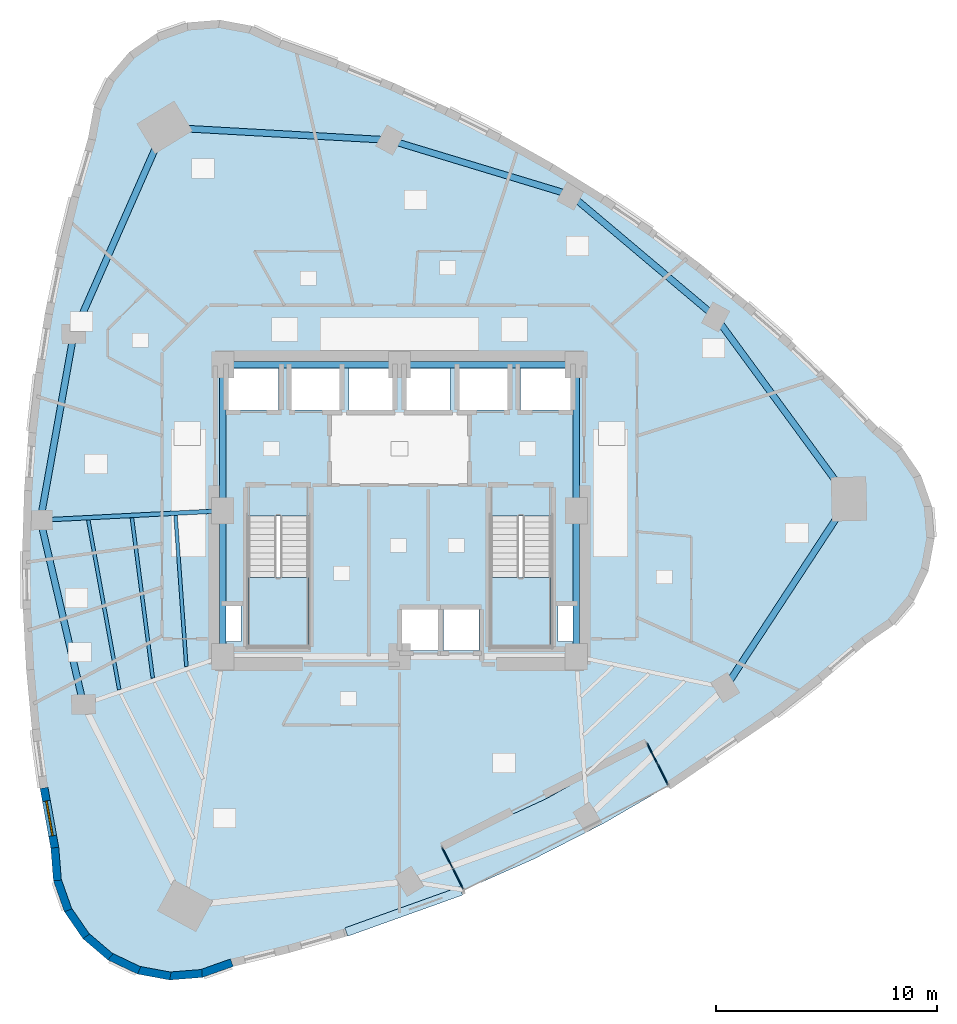
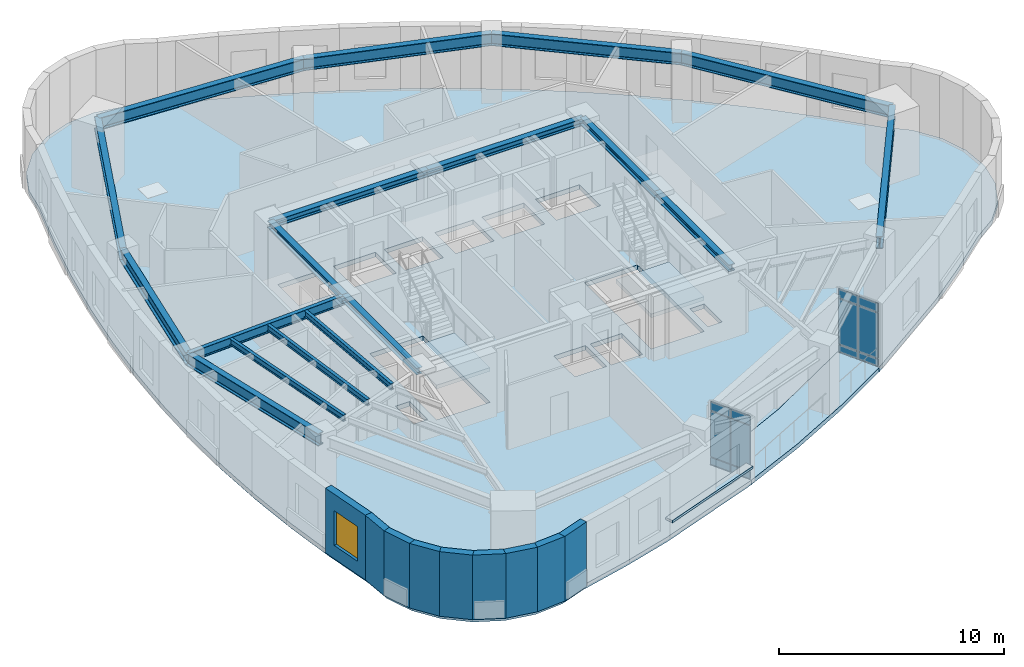
# One storey, part 4 of 11: 18 beams, 13 plates, 9 walls, 4 slabs, 1 window, 1 opening, 4 elements without a shape of their own.
"""IFC4 building model written with IfcOpenShell, lengths in metres."""

from ifc_helpers import new_model, si_unit, direction, frame, frame_2d, origin, origin_2d, place, context, subcontext, project, spatial, polyline, rectangle, i_section, outline, extrude, material, layer, layer_set, material_profile, profile_set, type_object, element, fill, aggregate, save


model = new_model("IFC4")

# Units and contexts
model_context = context("Model", 3, precision=1e-05, world=origin(), true_north=direction((0.0, 1.0)))
body_context = subcontext(model_context, "Body", "Model", "MODEL_VIEW")
ifc_project = project(units=[si_unit("LENGTHUNIT", "METRE"), si_unit("AREAUNIT", "SQUARE_METRE"), si_unit("VOLUMEUNIT", "CUBIC_METRE"), si_unit("PLANEANGLEUNIT", "RADIAN"), si_unit("MASSUNIT", "GRAM", prefix="KILO")], contexts=[model_context])

# Site, building, storey
site_placement = place(None, origin())
site = spatial("IfcSite", under=ifc_project, at=site_placement, CompositionType="ELEMENT")
building_placement = place(site_placement, origin())
building = spatial("IfcBuilding", under=site, at=building_placement, Name="Ndelora Gate Hotel", CompositionType="ELEMENT")
storey_placement = place(building_placement, frame((0.0, 0.0, 108.5)))
storey = spatial("IfcBuildingStorey", under=building, at=storey_placement, Name="L26", CompositionType="ELEMENT", Elevation=108.5)

# Beams
ifc_material_1 = material(Name="Steel S355", Category="steel")
ifc_material_profile_1 = material_profile(ifc_material_1, i_section(OverallWidth=0.300048828125, OverallDepth=0.360107421875, WebThickness=0.012451171875, FlangeThickness=0.0224609375, FilletRadius=0.027099609375, at=origin_2d()), Name="HEB 360")
ifc_profile_set_1 = profile_set([ifc_material_profile_1], Name="Steel S355")
beam_type_1 = type_object("IfcBeamType", Name="BM-CORE-360", PredefinedType="BEAM", material=ifc_profile_set_1)
for number, where, z_axis, x_axis, name in (
    (1, (-8.0, 6.60009765625, 3.320068359375), (1.0, 0.0, 0.0), (0.0, 1.0, 0.0), "L26 Core Tie Girder CC7-CC6"),
    (2, (0.0, 6.60009765625, 3.320068359375), (1.0, 0.0, 0.0), (0.0, 1.0, 0.0), "L26 Core Tie Girder CC6-CC5"),
):
    element("IfcBeam", number, at=place(storey_placement, frame(where, z_axis=z_axis, x_axis=x_axis)), inside=storey, type_object=beam_type_1, Name=name, PredefinedType="BEAM", context=body_context, shape_type="SweptSolid", body=[
        extrude(i_section(OverallWidth=0.300048828125, OverallDepth=0.360107421875, WebThickness=0.012451171875, FlangeThickness=0.0224609375, FilletRadius=0.027099609375, at=origin_2d()), origin(), (0.0, 0.0, 1.0), 8.0),
    ])
for number, where, z_axis, x_axis, name in (
    (3, (-8.0, -6.60009765625, 3.320068359375), (0.0, 1.0, 0.0), (-1.0, 0.0, 0.0), "L26 Core Tie Girder CC1-CC8"),
    (4, (-8.0, 0.0, 3.320068359375), (0.0, 1.0, 0.0), (-1.0, 0.0, 0.0), "L26 Core Tie Girder CC8-CC7"),
    (5, (8.0, -6.60009765625, 3.320068359375), (0.0, 1.0, 0.0), (-1.0, 0.0, 0.0), "L26 Core Tie Girder CC3-CC4"),
    (6, (8.0, 0.0, 3.320068359375), (0.0, 1.0, 0.0), (-1.0, 0.0, 0.0), "L26 Core Tie Girder CC4-CC5"),
):
    element("IfcBeam", number, at=place(storey_placement, frame(where, z_axis=z_axis, x_axis=x_axis)), inside=storey, type_object=beam_type_1, Name=name, PredefinedType="BEAM", context=body_context, shape_type="SweptSolid", body=[
        extrude(i_section(OverallWidth=0.300048828125, OverallDepth=0.360107421875, WebThickness=0.012451171875, FlangeThickness=0.0224609375, FilletRadius=0.027099609375, at=origin_2d()), origin(), (0.0, 0.0, 1.0), 6.60009765625),
    ])
ifc_material_profile_2 = material_profile(ifc_material_1, i_section(OverallWidth=0.159912109375, OverallDepth=0.330078125, WebThickness=0.007568359375, FlangeThickness=0.011474609375, FilletRadius=0.01806640625, at=origin_2d()), Name="IPE 330")
ifc_profile_set_2 = profile_set([ifc_material_profile_2], Name="Steel S355")
beam_type_2 = type_object("IfcBeamType", Name="BM-JST-330", PredefinedType="JOIST", material=ifc_profile_set_2)
beam_1_placement = place(storey_placement, frame((-10.138427734375, -0.220458984375, 3.3349609375), z_axis=(0.07162945927, -0.997431311201, 0.0), x_axis=(0.997431311201, 0.07162945927, 0.0)))
element("IfcBeam", 7, at=beam_1_placement, inside=storey, type_object=beam_type_2, Name="L26 Secondary Composite Floor Joist IN-3", PredefinedType="JOIST", context=body_context, shape_type="SweptSolid", body=[
    extrude(i_section(OverallWidth=0.159912109375, OverallDepth=0.330078125, WebThickness=0.007568359375, FlangeThickness=0.011474609375, FilletRadius=0.01806640625, at=origin_2d()), origin(), (0.0, 0.0, 1.0), 6.850830078125),
])
beam_2_placement = place(storey_placement, frame((-12.113525390625, -0.322021484375, 3.3349609375), z_axis=(0.12927924943, -0.991608226906, 0.0), x_axis=(0.991608226906, 0.12927924943, 0.0)))
element("IfcBeam", 8, at=beam_2_placement, inside=storey, type_object=beam_type_2, Name="L26 Secondary Composite Floor Joist MID-3", PredefinedType="JOIST", context=body_context, shape_type="SweptSolid", body=[
    extrude(i_section(OverallWidth=0.159912109375, OverallDepth=0.330078125, WebThickness=0.007568359375, FlangeThickness=0.011474609375, FilletRadius=0.01806640625, at=origin_2d()), origin(), (0.0, 0.0, 1.0), 7.31396484375),
])
beam_3_placement = place(storey_placement, frame((-14.089111328125, -0.423095703125, 3.3349609375), z_axis=(0.179733770179, -0.983715290039, 0.0), x_axis=(0.983715290039, 0.179733770179, 0.0)))
element("IfcBeam", 9, at=beam_3_placement, inside=storey, type_object=beam_type_2, Name="L26 Secondary Composite Floor Joist OUT-3", PredefinedType="JOIST", context=body_context, shape_type="SweptSolid", body=[
    extrude(i_section(OverallWidth=0.159912109375, OverallDepth=0.330078125, WebThickness=0.007568359375, FlangeThickness=0.011474609375, FilletRadius=0.01806640625, at=origin_2d()), origin(), (0.0, 0.0, 1.0), 7.799560546875),
])
ifc_material_profile_3 = material_profile(ifc_material_1, i_section(OverallWidth=0.199951171875, OverallDepth=0.5, WebThickness=0.01025390625, FlangeThickness=0.01611328125, FilletRadius=0.02099609375, at=origin_2d()), Name="IPE 500")
ifc_profile_set_3 = profile_set([ifc_material_profile_3], Name="Steel S355")
beam_type_3 = type_object("IfcBeamType", Name="BM-RAD-500", PredefinedType="BEAM", material=ifc_profile_set_3)
beam_4_placement = place(storey_placement, frame((-8.0, 0.0, 3.25), z_axis=(-0.998672591881, -0.051507807424, 0.0), x_axis=(0.051507807424, -0.998672591881, 0.0)))
element("IfcBeam", 10, at=beam_4_placement, inside=storey, type_object=beam_type_3, Name="L26 Radial Floor Girder 3", PredefinedType="BEAM", context=body_context, shape_type="SweptSolid", body=[
    extrude(i_section(OverallWidth=0.199951171875, OverallDepth=0.5, WebThickness=0.01025390625, FlangeThickness=0.01611328125, FilletRadius=0.02099609375, at=origin_2d()), origin(), (0.0, 0.0, 1.0), 8.266357421875),
])
ifc_material_profile_4 = material_profile(ifc_material_1, i_section(OverallWidth=0.300048828125, OverallDepth=0.64990234375, WebThickness=0.01611328125, FlangeThickness=0.031005859375, FilletRadius=0.027099609375, at=origin_2d()), Name="HEB 650")
ifc_profile_set_4 = profile_set([ifc_material_profile_4], Name="Steel S355")
beam_type_4 = type_object("IfcBeamType", Name="BM-RING-650", PredefinedType="SPANDREL", material=ifc_profile_set_4)
beam_5_placement = place(storey_placement, frame((-10.63330078125, 17.351806640625, 3.175048828125), z_axis=(-0.402852396707, -0.915264959707, 0.0), x_axis=(0.915264959707, -0.402852396707, 0.0)))
element("IfcBeam", 11, at=beam_5_placement, inside=storey, type_object=beam_type_4, Name="L26 Perimeter Spandrel Girder 1", PredefinedType="SPANDREL", context=body_context, shape_type="SweptSolid", body=[
    extrude(i_section(OverallWidth=0.300048828125, OverallDepth=0.64990234375, WebThickness=0.01611328125, FlangeThickness=0.031005859375, FilletRadius=0.027099609375, at=origin_2d()), origin(), (0.0, 0.0, 1.0), 10.21044921875),
])
beam_6_placement = place(storey_placement, frame((-14.74658203125, 8.006591796875, 3.175048828125), z_axis=(-0.176130938817, -0.984366746894, 0.0), x_axis=(0.984366746894, -0.176130938817, 0.0)))
element("IfcBeam", 12, at=beam_6_placement, inside=storey, type_object=beam_type_4, Name="L26 Perimeter Spandrel Girder 2", PredefinedType="SPANDREL", context=body_context, shape_type="SweptSolid", body=[
    extrude(i_section(OverallWidth=0.300048828125, OverallDepth=0.64990234375, WebThickness=0.01611328125, FlangeThickness=0.031005859375, FilletRadius=0.027099609375, at=origin_2d()), origin(), (0.0, 0.0, 1.0), 8.56640625),
])
beam_7_placement = place(storey_placement, frame((-16.25537109375, -0.42578125, 3.175048828125), z_axis=(0.227404398157, -0.973800410607, 0.0), x_axis=(0.973800410607, 0.227404398157, 0.0)))
element("IfcBeam", 13, at=beam_7_placement, inside=storey, type_object=beam_type_4, Name="L26 Perimeter Spandrel Girder 3", PredefinedType="SPANDREL", context=body_context, shape_type="SweptSolid", body=[
    extrude(i_section(OverallWidth=0.300048828125, OverallDepth=0.64990234375, WebThickness=0.01611328125, FlangeThickness=0.031005859375, FilletRadius=0.027099609375, at=origin_2d()), origin(), (0.0, 0.0, 1.0), 8.566162109375),
])
for number, where, z_axis, x_axis, name in (
    (14, (14.74658203125, -8.006591796875, 3.175048828125), (0.548194123818, 0.836351123998, 0.0), (-0.836351123998, 0.548194123818, 0.0), "L26 Perimeter Spandrel Girder 8"),
    (15, (20.34375, 0.53271484375, 3.175048828125), (-0.591229932094, 0.806503048597, 0.0), (-0.806503048597, -0.591229932094, 0.0), "L26 Perimeter Spandrel Girder 9"),
):
    element("IfcBeam", number, at=place(storey_placement, frame(where, z_axis=z_axis, x_axis=x_axis)), inside=storey, type_object=beam_type_4, Name=name, PredefinedType="SPANDREL", context=body_context, shape_type="SweptSolid", body=[
        extrude(i_section(OverallWidth=0.300048828125, OverallDepth=0.64990234375, WebThickness=0.01611328125, FlangeThickness=0.031005859375, FilletRadius=0.027099609375, at=origin_2d()), origin(), (0.0, 0.0, 1.0), 10.210205078125),
    ])
beam_8_placement = place(storey_placement, frame((14.30712890625, 8.767333984375, 3.175048828125), z_axis=(-0.76440691948, 0.644734101356, 0.0), x_axis=(-0.644734101356, -0.76440691948, 0.0)))
element("IfcBeam", 16, at=beam_8_placement, inside=storey, type_object=beam_type_4, Name="L26 Perimeter Spandrel Girder 10", PredefinedType="SPANDREL", context=body_context, shape_type="SweptSolid", body=[
    extrude(i_section(OverallWidth=0.300048828125, OverallDepth=0.64990234375, WebThickness=0.01611328125, FlangeThickness=0.031005859375, FilletRadius=0.027099609375, at=origin_2d()), origin(), (0.0, 0.0, 1.0), 8.566162109375),
])
beam_9_placement = place(storey_placement, frame((7.759033203125, 14.290283203125, 3.175048828125), z_axis=(-0.957030396662, 0.289987620192, 0.0), x_axis=(-0.289987620192, -0.957030396662, 0.0)))
element("IfcBeam", 17, at=beam_9_placement, inside=storey, type_object=beam_type_4, Name="L26 Perimeter Spandrel Girder 11", PredefinedType="SPANDREL", context=body_context, shape_type="SweptSolid", body=[
    extrude(i_section(OverallWidth=0.300048828125, OverallDepth=0.64990234375, WebThickness=0.01611328125, FlangeThickness=0.031005859375, FilletRadius=0.027099609375, at=origin_2d()), origin(), (0.0, 0.0, 1.0), 8.56640625),
])
beam_10_placement = place(storey_placement, frame((-0.439208984375, 16.7744140625, 3.175048828125), z_axis=(-0.998399808671, 0.056549288648, 0.0), x_axis=(-0.056549288648, -0.998399808671, 0.0)))
element("IfcBeam", 18, at=beam_10_placement, inside=storey, type_object=beam_type_4, Name="L26 Perimeter Spandrel Girder 12", PredefinedType="SPANDREL", context=body_context, shape_type="SweptSolid", body=[
    extrude(i_section(OverallWidth=0.300048828125, OverallDepth=0.64990234375, WebThickness=0.01611328125, FlangeThickness=0.031005859375, FilletRadius=0.027099609375, at=origin_2d()), origin(), (0.0, 0.0, 1.0), 10.21044921875),
])

# Curtain wall, plates
ifc_material_2 = material(Name="Bronze Anodised Unitised Aluminium and Low-E Glass", Category="aluminium")
ifc_layer_1 = layer(ifc_material_2, 0.199951171875)
ifc_layer_set_1 = layer_set([ifc_layer_1], Name="Bronze Anodised Unitised Aluminium and Low-E Glass")
curtain_wall_type = type_object("IfcCurtainWallType", Name="CW-SYS-3", PredefinedType="NOTDEFINED", material=ifc_layer_set_1)
curtain_wall_1_placement = place(storey_placement, origin())
curtain_wall_1 = element("IfcCurtainWall", 19, at=curtain_wall_1_placement, inside=storey, type_object=curtain_wall_type, Name="L26 Sky-Garden Loggia Side Curtain Wall CW3-1", PredefinedType="NOTDEFINED")
ifc_material_3 = material(Name="Solar-Control Low-E Insulated Glazing", Category="glass")
ifc_layer_2 = layer(ifc_material_3, 0.048095703125)
ifc_layer_set_2 = layer_set([ifc_layer_2], Name="Solar-Control Low-E Insulated Glazing")
plate_type_1 = type_object("IfcPlateType", Name="PL-CW-GLZ36", PredefinedType="CURTAIN_PANEL", material=ifc_layer_set_2)
plate_1_placement = place(storey_placement, frame((2.16845703125, -15.709716796875, 0.05908203125), z_axis=(0.0, 0.0, 1.0), x_axis=(0.454000680995, -0.891001336507, 0.0)))
plate_1 = element("IfcPlate", 20, at=plate_1_placement, type_object=plate_type_1, Name="CW3 panel 1.1", PredefinedType="CURTAIN_PANEL", context=body_context, shape_type="SweptSolid", body=[
    extrude(rectangle(XDim=1.014404296875, YDim=0.048095703125, at=origin_2d()), origin(), (0.0, 0.0, 1.0), 0.364501953125),
])
plate_2_placement = place(storey_placement, frame((2.16845703125, -15.709716796875, 0.4765625), z_axis=(0.0, 0.0, 1.0), x_axis=(0.454000680995, -0.891001336507, 0.0)))
plate_2 = element("IfcPlate", 21, at=plate_2_placement, type_object=plate_type_1, Name="CW3 panel 1.2", PredefinedType="CURTAIN_PANEL", context=body_context, shape_type="SweptSolid", body=[
    extrude(rectangle(XDim=1.014404296875, YDim=0.048095703125, at=origin_2d()), origin(), (0.0, 0.0, 1.0), 2.447021484375),
])
plate_3_placement = place(storey_placement, frame((2.16845703125, -15.709716796875, 2.9765625), z_axis=(0.0, 0.0, 1.0), x_axis=(0.454000680995, -0.891001336507, 0.0)))
plate_3 = element("IfcPlate", 22, at=plate_3_placement, type_object=plate_type_1, Name="CW3 panel 1.3", PredefinedType="CURTAIN_PANEL", context=body_context, shape_type="SweptSolid", body=[
    extrude(rectangle(XDim=1.014404296875, YDim=0.048095703125, at=origin_2d()), origin(), (0.0, 0.0, 1.0), 0.464599609375),
])
plate_4_placement = place(storey_placement, frame((2.653076171875, -16.660888671875, 0.05908203125), z_axis=(0.0, 0.0, 1.0), x_axis=(0.454000680995, -0.891001336507, 0.0)))
plate_4 = element("IfcPlate", 23, at=plate_4_placement, type_object=plate_type_1, Name="CW3 panel 2.1", PredefinedType="CURTAIN_PANEL", context=body_context, shape_type="SweptSolid", body=[
    extrude(rectangle(XDim=1.014404296875, YDim=0.048095703125, at=origin_2d()), origin(), (0.0, 0.0, 1.0), 0.364501953125),
])
plate_5_placement = place(storey_placement, frame((2.653076171875, -16.660888671875, 0.4765625), z_axis=(0.0, 0.0, 1.0), x_axis=(0.454000680995, -0.891001336507, 0.0)))
plate_5 = element("IfcPlate", 24, at=plate_5_placement, type_object=plate_type_1, Name="CW3 panel 2.2", PredefinedType="CURTAIN_PANEL", context=body_context, shape_type="SweptSolid", body=[
    extrude(rectangle(XDim=1.014404296875, YDim=0.048095703125, at=origin_2d()), origin(), (0.0, 0.0, 1.0), 2.447021484375),
])
plate_6_placement = place(storey_placement, frame((2.653076171875, -16.660888671875, 2.9765625), z_axis=(0.0, 0.0, 1.0), x_axis=(0.454000680995, -0.891001336507, 0.0)))
plate_6 = element("IfcPlate", 25, at=plate_6_placement, type_object=plate_type_1, Name="CW3 panel 2.3", PredefinedType="CURTAIN_PANEL", context=body_context, shape_type="SweptSolid", body=[
    extrude(rectangle(XDim=1.014404296875, YDim=0.048095703125, at=origin_2d()), origin(), (0.0, 0.0, 1.0), 0.464599609375),
])
aggregate(curtain_wall_1, [plate_1, plate_2, plate_3, plate_4, plate_5, plate_6])

curtain_wall_2_placement = place(storey_placement, origin())
curtain_wall_2 = element("IfcCurtainWall", 26, at=curtain_wall_2_placement, inside=storey, type_object=curtain_wall_type, Name="L26 Sky-Garden Loggia Side Curtain Wall CW3-2", PredefinedType="NOTDEFINED")
plate_7_placement = place(storey_placement, frame((11.91943359375, -11.939453125, 0.05908203125), z_axis=(0.0, 0.0, 1.0), x_axis=(-0.454000680995, 0.891001336507, 0.0)))
plate_7 = element("IfcPlate", 27, at=plate_7_placement, type_object=plate_type_1, Name="CW3 panel 1.1", PredefinedType="CURTAIN_PANEL", context=body_context, shape_type="SweptSolid", body=[
    extrude(rectangle(XDim=1.014404296875, YDim=0.048095703125, at=origin_2d()), origin(), (0.0, 0.0, 1.0), 0.364501953125),
])
plate_8_placement = place(storey_placement, frame((11.91943359375, -11.939453125, 0.4765625), z_axis=(0.0, 0.0, 1.0), x_axis=(-0.454000680995, 0.891001336507, 0.0)))
plate_8 = element("IfcPlate", 28, at=plate_8_placement, type_object=plate_type_1, Name="CW3 panel 1.2", PredefinedType="CURTAIN_PANEL", context=body_context, shape_type="SweptSolid", body=[
    extrude(rectangle(XDim=1.014404296875, YDim=0.048095703125, at=origin_2d()), origin(), (0.0, 0.0, 1.0), 2.447021484375),
])
plate_9_placement = place(storey_placement, frame((11.91943359375, -11.939453125, 2.9765625), z_axis=(0.0, 0.0, 1.0), x_axis=(-0.454000680995, 0.891001336507, 0.0)))
plate_9 = element("IfcPlate", 29, at=plate_9_placement, type_object=plate_type_1, Name="CW3 panel 1.3", PredefinedType="CURTAIN_PANEL", context=body_context, shape_type="SweptSolid", body=[
    extrude(rectangle(XDim=1.014404296875, YDim=0.048095703125, at=origin_2d()), origin(), (0.0, 0.0, 1.0), 0.464599609375),
])
plate_10_placement = place(storey_placement, frame((11.434814453125, -10.98828125, 0.05908203125), z_axis=(0.0, 0.0, 1.0), x_axis=(-0.454000680995, 0.891001336507, 0.0)))
plate_10 = element("IfcPlate", 30, at=plate_10_placement, type_object=plate_type_1, Name="CW3 panel 2.1", PredefinedType="CURTAIN_PANEL", context=body_context, shape_type="SweptSolid", body=[
    extrude(rectangle(XDim=1.014404296875, YDim=0.048095703125, at=origin_2d()), origin(), (0.0, 0.0, 1.0), 0.364501953125),
])
plate_11_placement = place(storey_placement, frame((11.434814453125, -10.98828125, 0.4765625), z_axis=(0.0, 0.0, 1.0), x_axis=(-0.454000680995, 0.891001336507, 0.0)))
plate_11 = element("IfcPlate", 31, at=plate_11_placement, type_object=plate_type_1, Name="CW3 panel 2.2", PredefinedType="CURTAIN_PANEL", context=body_context, shape_type="SweptSolid", body=[
    extrude(rectangle(XDim=1.014404296875, YDim=0.048095703125, at=origin_2d()), origin(), (0.0, 0.0, 1.0), 2.447021484375),
])
plate_12_placement = place(storey_placement, frame((11.434814453125, -10.98828125, 2.9765625), z_axis=(0.0, 0.0, 1.0), x_axis=(-0.454000680995, 0.891001336507, 0.0)))
plate_12 = element("IfcPlate", 32, at=plate_12_placement, type_object=plate_type_1, Name="CW3 panel 2.3", PredefinedType="CURTAIN_PANEL", context=body_context, shape_type="SweptSolid", body=[
    extrude(rectangle(XDim=1.014404296875, YDim=0.048095703125, at=origin_2d()), origin(), (0.0, 0.0, 1.0), 0.464599609375),
])
aggregate(curtain_wall_2, [plate_7, plate_8, plate_9, plate_10, plate_11, plate_12])

# Plate
ifc_material_4 = material(Name="Precast concrete C40/50", Category="concrete")
ifc_layer_3 = layer(ifc_material_4, 0.125)
ifc_layer_set_3 = layer_set([ifc_layer_3], Name="Precast concrete C40/50")
plate_type_2 = type_object("IfcPlateType", Name="PL-SILL-120", PredefinedType="USERDEFINED", material=ifc_layer_set_3)
plate_13_placement = place(storey_placement, frame((0.19091796875, -18.139404296875, 0.78759765625), z_axis=(0.0, 0.0, 1.0), x_axis=(0.941411696251, 0.337259570896, 0.0)))
element("IfcPlate", 33, at=plate_13_placement, inside=storey, type_object=plate_type_2, Name="L26 Streamline Precast Ribbon Sill 31", ObjectType="RIBBON_SILL", PredefinedType="USERDEFINED", context=body_context, shape_type="SweptSolid", body=[
    extrude(rectangle(XDim=5.527099609375, YDim=0.39990234375, at=origin_2d()), origin(), (0.0, 0.0, 1.0), 0.125),
])

# Stair, slab
stair_type = type_object("IfcStairType", Name="STR-DOG-CORE", PredefinedType="HALF_TURN_STAIR", material=ifc_material_4)
stair_1_placement = place(storey_placement, origin())
stair_1 = element("IfcStair", 34, at=stair_1_placement, inside=storey, type_object=stair_type, Name="L26 Protected Core Exit Stair ST4", PredefinedType="HALF_TURN_STAIR")
ifc_layer_4 = layer(ifc_material_4, 0.219970703125)
ifc_layer_set_4 = layer_set([ifc_layer_4], Name="Precast concrete C40/50")
slab_type_1 = type_object("IfcSlabType", Name="SL-LAND-220", PredefinedType="LANDING", material=ifc_layer_set_4)
slab_1_placement = place(storey_placement, frame((0.0, 0.0, 1.675048828125)))
slab_1 = element("IfcSlab", 35, at=slab_1_placement, type_object=slab_type_1, Name="ST4 landing 1", PredefinedType="LANDING", context=body_context, shape_type="SweptSolid", body=[
    extrude(outline(polyline([(-6.85009765625, -3.030029296875), (-6.85009765625, -6.14990234375), (-4.1298828125, -6.14990234375), (-4.1298828125, -3.030029296875), (-6.85009765625, -3.030029296875)])), origin(), (0.0, 0.0, 1.0), 0.199951171875),
])
aggregate(stair_1, [slab_1])

stair_2_placement = place(storey_placement, origin())
stair_2 = element("IfcStair", 36, at=stair_2_placement, inside=storey, type_object=stair_type, Name="L26 Protected Core Exit Stair ST5", PredefinedType="HALF_TURN_STAIR")
slab_2_placement = place(storey_placement, frame((0.0, 0.0, 1.675048828125)))
slab_2 = element("IfcSlab", 37, at=slab_2_placement, type_object=slab_type_1, Name="ST5 landing 1", PredefinedType="LANDING", context=body_context, shape_type="SweptSolid", body=[
    extrude(outline(polyline([(4.1298828125, -3.030029296875), (4.1298828125, -6.14990234375), (6.85009765625, -6.14990234375), (6.85009765625, -3.030029296875), (4.1298828125, -3.030029296875)])), origin(), (0.0, 0.0, 1.0), 0.199951171875),
])
aggregate(stair_2, [slab_2])

# Slabs
ifc_layer_5 = layer(ifc_material_4, 0.239990234375)
ifc_layer_set_5 = layer_set([ifc_layer_5], Name="Precast concrete C40/50")
slab_type_2 = type_object("IfcSlabType", Name="SL-TER-240", PredefinedType="FLOOR", material=ifc_layer_set_5)
slab_3_placement = place(storey_placement, frame((0.0, 0.0, -0.239990234375)))
element("IfcSlab", 38, at=slab_3_placement, inside=storey, type_object=slab_type_2, Name="L26 Sky Garden Loggia Terrace Slab", PredefinedType="FLOOR", context=body_context, shape_type="SweptSolid", body=[
    extrude(outline(polyline([(1.911376953125, -15.205078125), (2.91015625, -17.165283203125), (6.05419921875, -15.7763671875), (9.204833984375, -14.1708984375), (12.176513671875, -12.44384765625), (11.177734375, -10.483642578125), (6.64208984375, -13.03564453125), (1.911376953125, -15.205078125)])), origin(), (0.0, 0.0, 1.0), 0.239990234375),
])
ifc_material_5 = material(Name="Concrete C40/50", Category="concrete")
ifc_layer_6 = layer(ifc_material_5, 0.25)
ifc_layer_set_6 = layer_set([ifc_layer_6], Name="Concrete C40/50")
slab_type_3 = type_object("IfcSlabType", Name="SL-TWR-250", PredefinedType="FLOOR", material=ifc_layer_set_6)
slab_4_placement = place(storey_placement, frame((0.0, 0.0, -0.25)))
element("IfcSlab", 39, at=slab_4_placement, inside=storey, type_object=slab_type_3, Name="L26 Structural Floor Slab", PredefinedType="FLOOR", context=body_context, shape_type="SweptSolid", body=[
    extrude(outline(polyline([(-5.4306640625, 21.150146484375), (-6.7265625, 21.768310546875), (-8.138427734375, 22.02978515625), (-9.569580078125, 21.917236328125), (-10.923095703125, 21.43798828125), (-12.1064453125, 20.624755859375), (-13.038818359375, 19.532958984375), (-13.656982421875, 18.237060546875), (-13.918701171875, 16.8251953125), (-14.684326171875, 14.1826171875), (-15.33642578125, 11.5341796875), (-15.874755859375, 8.8798828125), (-16.29931640625, 6.219482421875), (-16.610107421875, 3.552978515625), (-16.80712890625, 0.880859375), (-16.890380859375, -1.79736328125), (-16.860107421875, -4.481689453125), (-16.7158203125, -7.171875), (-16.4580078125, -9.867919921875), (-16.08642578125, -12.570068359375), (-15.60107421875, -15.2783203125), (-15.488525390625, -16.70947265625), (-15.00927734375, -18.06298828125), (-14.196044921875, -19.24609375), (-13.104248046875, -20.1787109375), (-11.808349609375, -20.796875), (-10.396484375, -21.05859375), (-8.965087890625, -20.94580078125), (-7.61181640625, -20.466552734375), (-5.04638671875, -19.836669921875), (-2.5283203125, -19.11328125), (2.91015625, -17.165283203125), (1.911376953125, -15.205078125), (6.64208984375, -13.03564453125), (11.177734375, -10.483642578125), (12.176513671875, -12.44384765625), (16.94921875, -9.18896484375), (19.014404296875, -7.5771484375), (21.03173828125, -5.871826171875), (22.215087890625, -5.05859375), (23.147705078125, -3.966796875), (23.765625, -2.6708984375), (24.02734375, -1.25927734375), (23.914794921875, 0.172119140625), (23.435302734375, 1.525634765625), (22.622314453125, 2.708740234375), (21.530517578125, 3.641357421875), (19.624755859375, 5.625732421875), (17.6572265625, 7.5146484375), (15.62744140625, 9.30810546875), (13.535888671875, 11.005859375), (11.382080078125, 12.608154296875), (9.16650390625, 14.114990234375), (6.888671875, 15.5263671875), (4.548828125, 16.842041015625), (2.14697265625, 18.062255859375), (-0.31689453125, 19.18701171875), (-2.8427734375, 20.21630859375), (-5.4306640625, 21.150146484375)]), holes=[polyline([(-6.85009765625, -0.22998046875), (-6.85009765625, -6.14990234375), (-4.1298828125, -6.14990234375), (-4.1298828125, -0.22998046875), (-6.85009765625, -0.22998046875)]), polyline([(4.1298828125, -0.22998046875), (4.1298828125, -6.14990234375), (6.85009765625, -6.14990234375), (6.85009765625, -0.22998046875), (4.1298828125, -0.22998046875)]), polyline([(-7.72998046875, 4.570068359375), (-5.469970703125, 4.570068359375), (-5.469970703125, 6.429931640625), (-7.72998046875, 6.429931640625), (-7.72998046875, 4.570068359375)]), polyline([(5.469970703125, 4.570068359375), (7.72998046875, 4.570068359375), (7.72998046875, 6.429931640625), (5.469970703125, 6.429931640625), (5.469970703125, 4.570068359375)]), polyline([(-4.8798828125, 4.570068359375), (-2.719970703125, 4.570068359375), (-2.719970703125, 6.429931640625), (-4.8798828125, 6.429931640625), (-4.8798828125, 4.570068359375)]), polyline([(2.719970703125, 4.570068359375), (4.8798828125, 4.570068359375), (4.8798828125, 6.429931640625), (2.719970703125, 6.429931640625), (2.719970703125, 4.570068359375)]), polyline([(0.1201171875, -6.330078125), (1.739990234375, -6.330078125), (1.739990234375, -4.469970703125), (0.1201171875, -4.469970703125), (0.1201171875, -6.330078125)]), polyline([(1.97998046875, -6.330078125), (3.60009765625, -6.330078125), (3.60009765625, -4.469970703125), (1.97998046875, -4.469970703125), (1.97998046875, -6.330078125)]), polyline([(-2.280029296875, 4.570068359375), (-0.320068359375, 4.570068359375), (-0.320068359375, 6.429931640625), (-2.280029296875, 6.429931640625), (-2.280029296875, 4.570068359375)]), polyline([(0.320068359375, 4.570068359375), (2.280029296875, 4.570068359375), (2.280029296875, 6.429931640625), (0.320068359375, 6.429931640625), (0.320068359375, 4.570068359375)]), polyline([(-7.89990234375, -5.919921875), (-7.179931640625, -5.919921875), (-7.179931640625, -4.320068359375), (-7.89990234375, -4.320068359375), (-7.89990234375, -5.919921875)]), polyline([(7.179931640625, -5.919921875), (7.89990234375, -5.919921875), (7.89990234375, -4.320068359375), (7.179931640625, -4.320068359375), (7.179931640625, -5.919921875)])]), origin(), (0.0, 0.0, 1.0), 0.25),
])

# Wall, opening, window
ifc_material_6 = material(Name="Clay Brick Masonry", Category="masonry")
ifc_layer_7 = layer(ifc_material_6, 0.360107421875)
ifc_layer_set_7 = layer_set([ifc_layer_7], Name="Clay Brick Masonry")
wall_type = type_object("IfcWallType", Name="WL-BRICK-360", PredefinedType="SOLIDWALL", material=ifc_layer_set_7)
wall_1_placement = place(storey_placement, frame((-15.5966796875, -15.302734375, 0.0), z_axis=(0.0, 0.0, 1.0), x_axis=(-0.176399929502, 0.984318578953, 0.0)))
wall_1 = element("IfcWall", 40, at=wall_1_placement, inside=storey, type_object=wall_type, Name="L26 Tower Brick Pier-and-Spandrel Wall TWR-20", PredefinedType="SOLIDWALL", context=body_context, shape_type="SweptSolid", body=[
    extrude(rectangle(XDim=2.80126953125, YDim=0.360107421875, at=frame_2d((1.400634765625, 0.0))), origin(), (0.0, 0.0, 1.0), 3.5),
])
opening_placement = place(wall_1_placement, frame((0.6005859375, 0.0, 0.719970703125)))
opening = element("IfcOpeningElement", 41, at=opening_placement, cuts=wall_1, Name="Opening W01", PredefinedType="OPENING", context=body_context, shape_type="SweptSolid", body=[
    extrude(rectangle(XDim=1.60009765625, YDim=1.8798828125, at=frame_2d((0.800048828125, 0.93994140625))), frame((0.0, 0.18994140625, 0.0), z_axis=(0.0, -1.0, 0.0), x_axis=(1.0, 0.0, 0.0)), (0.0, 0.0, 1.0), 0.380126953125),
])
ifc_material_7 = material(Name="Insulated Low-E Double Glazing in Bronze Aluminium Frame", Category="aluminium")
window_type = type_object("IfcWindowType", Name="WN-DEEP-1600", PartitioningType="SINGLE_PANEL", PredefinedType="WINDOW", material=ifc_material_7)
window_placement = place(opening_placement, origin())
window = element("IfcWindow", 42, at=window_placement, inside=storey, type_object=window_type, Name="L26 Deep-Set Brick-Pier Window W01", OverallHeight=1.8798828125, OverallWidth=1.60009765625, PartitioningType="SINGLE_PANEL", PredefinedType="WINDOW", context=body_context, shape_type="SweptSolid", body=[
    extrude(rectangle(XDim=1.60009765625, YDim=1.8798828125, at=frame_2d((0.800048828125, 0.93994140625))), frame((0.0, 0.030029296875, 0.0), z_axis=(0.0, -1.0, 0.0), x_axis=(1.0, 0.0, 0.0)), (0.0, 0.0, 1.0), 0.06005859375),
])
fill(opening, window)

# Walls
wall_2_placement = place(storey_placement, frame((-15.486572265625, -16.734375, 0.0), z_axis=(0.0, 0.0, 1.0), x_axis=(-0.078393018091, 0.996922531952, 0.0)))
element("IfcWall", 43, at=wall_2_placement, inside=storey, type_object=wall_type, Name="L26 Tower Brick Pier-and-Spandrel Wall TWR-21", PredefinedType="SOLIDWALL", context=body_context, shape_type="SweptSolid", body=[
    extrude(rectangle(XDim=1.485595703125, YDim=0.360107421875, at=frame_2d((0.74267578125, 0.0))), origin(), (0.0, 0.0, 1.0), 3.5),
])
wall_3_placement = place(storey_placement, frame((-15.0009765625, -18.086669921875, 0.0), z_axis=(0.0, 0.0, 1.0), x_axis=(-0.333670746008, 0.942689680254, 0.0)))
element("IfcWall", 44, at=wall_3_placement, inside=storey, type_object=wall_type, Name="L26 Tower Brick Pier-and-Spandrel Wall TWR-22", PredefinedType="SOLIDWALL", context=body_context, shape_type="SweptSolid", body=[
    extrude(rectangle(XDim=1.486083984375, YDim=0.360107421875, at=frame_2d((0.7431640625, 0.0))), origin(), (0.0, 0.0, 1.0), 3.5),
])
wall_4_placement = place(storey_placement, frame((-14.181884765625, -19.266845703125, 0.0), z_axis=(0.0, 0.0, 1.0), x_axis=(-0.566438155808, 0.824104250472, 0.0)))
element("IfcWall", 45, at=wall_4_placement, inside=storey, type_object=wall_type, Name="L26 Tower Brick Pier-and-Spandrel Wall TWR-23", PredefinedType="SOLIDWALL", context=body_context, shape_type="SweptSolid", body=[
    extrude(rectangle(XDim=1.485595703125, YDim=0.360107421875, at=frame_2d((0.74267578125, 0.0))), origin(), (0.0, 0.0, 1.0), 3.5),
])
for number, where, z_axis, x_axis, name in (
    (46, (-13.085205078125, -20.19482421875, 0.0), (0.0, 0.0, 1.0), (-0.760461582144, 0.649382924078, 0.0), "L26 Tower Brick Pier-and-Spandrel Wall TWR-24"),
    (47, (-11.78564453125, -20.8076171875, 0.0), (0.0, 0.0, 1.0), (-0.902586982789, 0.430507535938, 0.0), "L26 Tower Brick Pier-and-Spandrel Wall TWR-25"),
):
    element("IfcWall", number, at=place(storey_placement, frame(where, z_axis=z_axis, x_axis=x_axis)), inside=storey, type_object=wall_type, Name=name, PredefinedType="SOLIDWALL", context=body_context, shape_type="SweptSolid", body=[
        extrude(rectangle(XDim=1.48583984375, YDim=0.360107421875, at=frame_2d((0.742919921875, 0.0))), origin(), (0.0, 0.0, 1.0), 3.5),
    ])
wall_5_placement = place(storey_placement, frame((-10.371826171875, -21.06298828125, 0.0), z_axis=(0.0, 0.0, 1.0), x_axis=(-0.983262389335, 0.182195152844, 0.0)))
element("IfcWall", 48, at=wall_5_placement, inside=storey, type_object=wall_type, Name="L26 Tower Brick Pier-and-Spandrel Wall TWR-26", PredefinedType="SOLIDWALL", context=body_context, shape_type="SweptSolid", body=[
    extrude(rectangle(XDim=1.486083984375, YDim=0.360107421875, at=frame_2d((0.7431640625, 0.0))), origin(), (0.0, 0.0, 1.0), 3.5),
])
for number, where, z_axis, x_axis, name in (
    (49, (-8.940185546875, -20.94384765625, 0.0), (0.0, 0.0, 1.0), (-0.996910688745, -0.078543482647, 0.0), "L26 Tower Brick Pier-and-Spandrel Wall TWR-27"),
    (50, (-7.588134765625, -20.458251953125, 0.0), (0.0, 0.0, 1.0), (-0.942671384708, -0.33372243025, 0.0), "L26 Tower Brick Pier-and-Spandrel Wall TWR-28"),
):
    element("IfcWall", number, at=place(storey_placement, frame(where, z_axis=z_axis, x_axis=x_axis)), inside=storey, type_object=wall_type, Name=name, PredefinedType="SOLIDWALL", context=body_context, shape_type="SweptSolid", body=[
        extrude(rectangle(XDim=1.48583984375, YDim=0.360107421875, at=frame_2d((0.742919921875, 0.0))), origin(), (0.0, 0.0, 1.0), 3.5),
    ])

save(model, "model.ifc")
